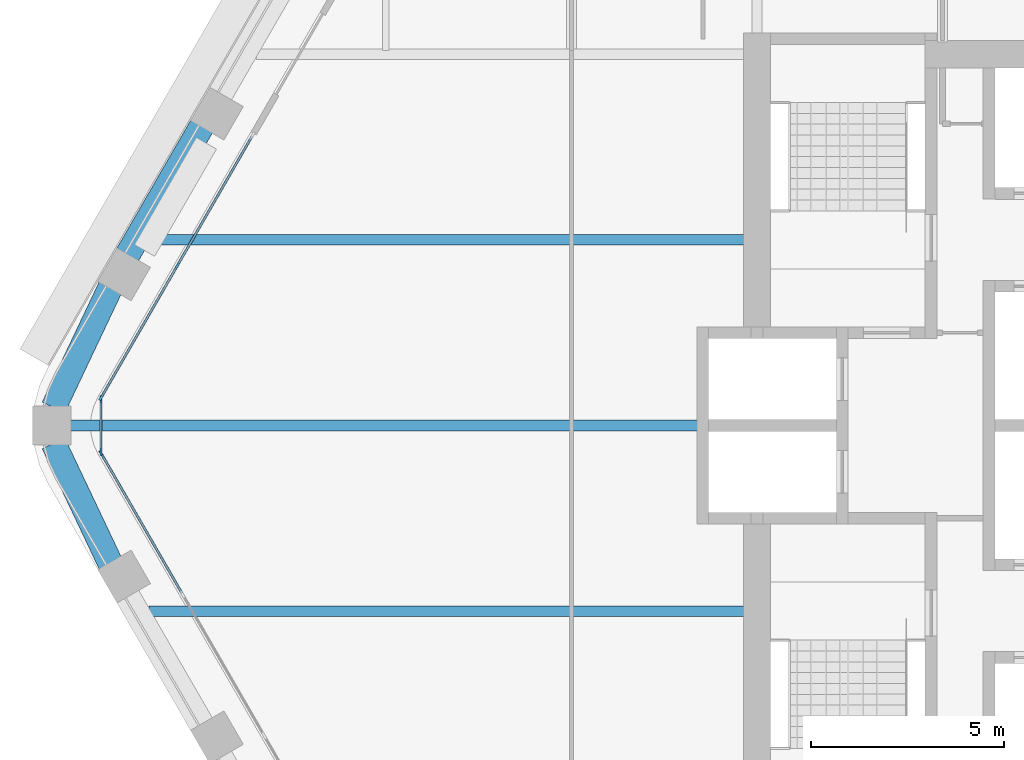
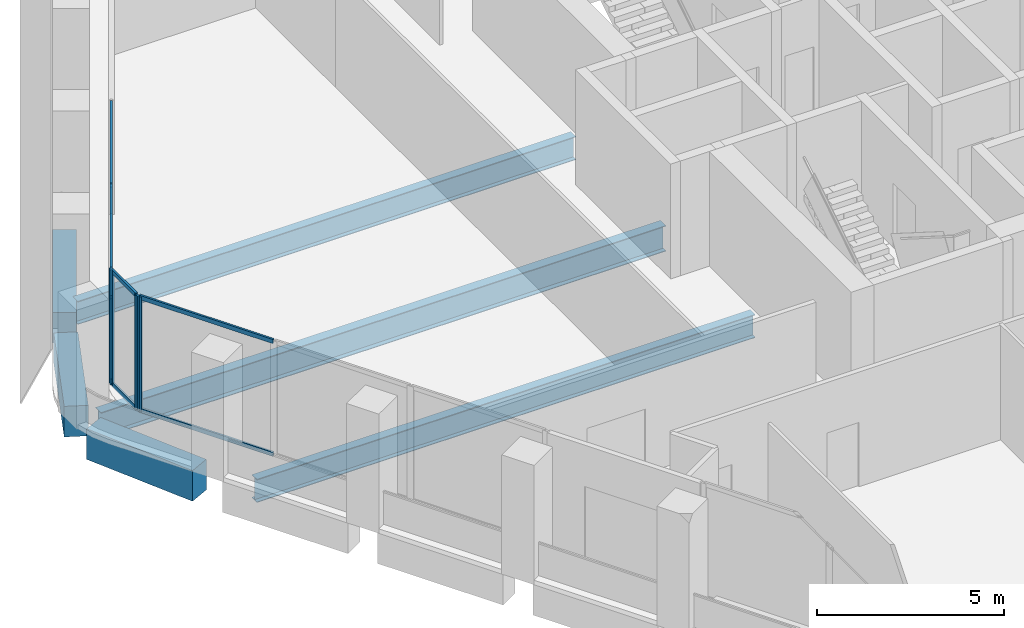
# One storey, part 3 of 15: 13 members, 6 beams, 3 elements without a shape of their own.
"""IFC4 building model written with IfcOpenShell, lengths in metres."""

from ifc_helpers import new_model, si_unit, direction, frame, origin, origin_2d, place, context, subcontext, project, spatial, rectangle, i_section, extrude, material, material_profile, profile_set, type_object, element, aggregate, save


model = new_model("IFC4")

# Units and contexts
model_context = context("Model", 3, precision=1e-05, world=origin(), true_north=direction((0.0, 1.0)))
body_context = subcontext(model_context, "Body", "Model", "MODEL_VIEW")
ifc_project = project(units=[si_unit("LENGTHUNIT", "METRE"), si_unit("AREAUNIT", "SQUARE_METRE"), si_unit("VOLUMEUNIT", "CUBIC_METRE"), si_unit("PLANEANGLEUNIT", "RADIAN"), si_unit("MASSUNIT", "GRAM", prefix="KILO")], contexts=[model_context])

# Site, building, storey
site_placement = place(None, origin())
site = spatial("IfcSite", under=ifc_project, at=site_placement, CompositionType="ELEMENT")
building_placement = place(site_placement, origin())
building = spatial("IfcBuilding", under=site, at=building_placement, Name="Kolab Exchange Tower", CompositionType="ELEMENT")
storey_placement = place(building_placement, frame((0.0, 0.0, 158.300048828125)))
storey = spatial("IfcBuildingStorey", under=building, at=storey_placement, Name="L32", CompositionType="ELEMENT", Elevation=158.300048828125)

# Beams
ifc_material_1 = material(Name="Steel S355", Category="steel")
ifc_material_profile_1 = material_profile(ifc_material_1, i_section(OverallWidth=0.26708984375, OverallDepth=0.761962890625, WebThickness=0.014404296875, FlangeThickness=0.021484375, at=origin_2d()), Name="W760X173")
ifc_profile_set_1 = profile_set([ifc_material_profile_1], Name="Steel S355")
beam_type_1 = type_object("IfcBeamType", Name="FLOOR BEAM W760X173", PredefinedType="BEAM", material=ifc_profile_set_1)
for number, where, z_axis, x_axis, name in (
    (1, (-25.318115234375, -4.800048828125, -0.531005859375), (1.0, 0.0, 0.0), (0.0, 1.0, 0.0), "beam/L32/fr/001"),
    (2, (-25.318115234375, 4.800048828125, -0.531005859375), (1.0, 0.0, 0.0), (0.0, 1.0, 0.0), "beam/L32/fr/002"),
):
    element("IfcBeam", number, at=place(storey_placement, frame(where, z_axis=z_axis, x_axis=x_axis)), inside=storey, type_object=beam_type_1, Name=name, PredefinedType="BEAM", context=body_context, shape_type="SweptSolid", body=[
        extrude(i_section(OverallWidth=0.26708984375, OverallDepth=0.761962890625, WebThickness=0.014404296875, FlangeThickness=0.021484375, at=origin_2d()), origin(), (0.0, 0.0, 1.0), 15.408203125),
    ])
ifc_material_profile_2 = material_profile(ifc_material_1, i_section(OverallWidth=0.2919921875, OverallDepth=0.840087890625, WebThickness=0.0146484375, FlangeThickness=0.021728515625, at=origin_2d()), Name="W840X193")
ifc_profile_set_2 = profile_set([ifc_material_profile_2], Name="Steel S355")
beam_type_2 = type_object("IfcBeamType", Name="FLOOR BEAM W840X193", PredefinedType="BEAM", material=ifc_profile_set_2)
beam_1_placement = place(storey_placement, frame((-27.3759765625, 0.0, -0.570068359375), z_axis=(1.0, 0.0, 0.0), x_axis=(0.0, 1.0, 0.0)))
element("IfcBeam", 3, at=beam_1_placement, inside=storey, type_object=beam_type_2, Name="beam/L32/fr/000", PredefinedType="BEAM", context=body_context, shape_type="SweptSolid", body=[
    extrude(i_section(OverallWidth=0.2919921875, OverallDepth=0.840087890625, WebThickness=0.0146484375, FlangeThickness=0.021728515625, at=origin_2d()), origin(), (0.0, 0.0, 1.0), 17.466064453125),
])
ifc_material_2 = material(Name="Concrete C60/75", Category="concrete")
ifc_material_profile_3 = material_profile(ifc_material_2, rectangle(XDim=0.64990234375, YDim=1.0, at=origin_2d()), Name="RC650X1000")
ifc_profile_set_3 = profile_set([ifc_material_profile_3], Name="Concrete C60/75")
beam_type_3 = type_object("IfcBeamType", Name="SPANDREL BEAM 650X1000 C60/75", PredefinedType="BEAM", material=ifc_profile_set_3)
for number, where, z_axis, x_axis, name in (
    (4, (-26.316162109375, -3.5771484375, -0.650146484375), (-0.428177731975, 0.903694544545, 0.0), (-0.903694544545, -0.428177731975, 0.0), "beam/L32/sp/F5-06"),
    (5, (-27.791259765625, 0.4638671875, -0.650146484375), (0.428177731975, 0.903694544545, 0.0), (-0.903694544545, 0.428177731975, 0.0), "beam/L32/sp/F6-01"),
):
    element("IfcBeam", number, at=place(storey_placement, frame(where, z_axis=z_axis, x_axis=x_axis)), inside=storey, type_object=beam_type_3, Name=name, PredefinedType="BEAM", context=body_context, shape_type="SweptSolid", body=[
        extrude(rectangle(XDim=0.64990234375, YDim=1.0, at=origin_2d()), origin(), (0.0, 0.0, 1.0), 3.445068359375),
    ])
beam_2_placement = place(storey_placement, frame((-25.888427734375, 4.392822265625, -0.650146484375), z_axis=(0.499996613652, 0.866027358884, 0.0), x_axis=(-0.866027358884, 0.499996613652, 0.0)))
element("IfcBeam", 6, at=beam_2_placement, inside=storey, type_object=beam_type_3, Name="beam/L32/sp/F6-02", PredefinedType="BEAM", context=body_context, shape_type="SweptSolid", body=[
    extrude(rectangle(XDim=0.64990234375, YDim=1.0, at=origin_2d()), origin(), (0.0, 0.0, 1.0), 3.8798828125),
])

# Curtain wall, member
ifc_material_3 = material(Name="Aluminium EN AW-6063 T6", Category="aluminium")
curtain_wall_type = type_object("IfcCurtainWallType", Name="UNITISED UPPER MID ZONE CURTAIN WALL", PredefinedType="NOTDEFINED", material=ifc_material_3)
curtain_wall_1_placement = place(storey_placement, origin())
curtain_wall_1 = element("IfcCurtainWall", 7, at=curtain_wall_1_placement, inside=storey, type_object=curtain_wall_type, Name="cw/L32/F5-2", PredefinedType="NOTDEFINED")
ifc_material_profile_4 = material_profile(ifc_material_3, rectangle(XDim=0.06005859375, YDim=0.199951171875, at=origin_2d()), Name="RECT 60X200")
ifc_profile_set_4 = profile_set([ifc_material_profile_4], Name="Aluminium EN AW-6063 T6")
member_type_1 = type_object("IfcMemberType", Name="UNITISED UPPER MID ZONE MULLION 60 X 200", PredefinedType="MULLION", material=ifc_profile_set_4)
member_1_placement = place(storey_placement, frame((-26.550537109375, -0.736083984375, 0.0), z_axis=(0.0, 0.0, 1.0), x_axis=(-0.866025427826, -0.499999958358, 0.0)))
member_1 = element("IfcMember", 8, at=member_1_placement, type_object=member_type_1, Name="CW3 mullion 4", PredefinedType="MULLION", context=body_context, shape_type="SweptSolid", body=[
    extrude(rectangle(XDim=0.06005859375, YDim=0.199951171875, at=origin_2d()), origin(), (0.0, 0.0, 1.0), 3.75),
])

# Curtain wall, members
curtain_wall_2_placement = place(storey_placement, origin())
curtain_wall_2 = element("IfcCurtainWall", 9, at=curtain_wall_2_placement, inside=storey, type_object=curtain_wall_type, Name="cw/L32/F6-1", PredefinedType="NOTDEFINED")
member_2_placement = place(storey_placement, frame((-26.550537109375, 0.736083984375, 0.0), z_axis=(0.0, 0.0, 1.0), x_axis=(-0.866025440524, 0.499999936366, 0.0)))
member_2 = element("IfcMember", 10, at=member_2_placement, type_object=member_type_1, Name="CW3 mullion 1", PredefinedType="MULLION", context=body_context, shape_type="SweptSolid", body=[
    extrude(rectangle(XDim=0.06005859375, YDim=0.199951171875, at=origin_2d()), origin(), (0.0, 0.0, 1.0), 3.75),
])
member_3_placement = place(storey_placement, frame((-24.5986328125, 4.116943359375, 0.0), z_axis=(0.0, 0.0, 1.0), x_axis=(-0.866025440524, 0.499999936366, 0.0)))
member_3 = element("IfcMember", 11, at=member_3_placement, type_object=member_type_1, Name="CW3 mullion 2", PredefinedType="MULLION", context=body_context, shape_type="SweptSolid", body=[
    extrude(rectangle(XDim=0.06005859375, YDim=0.199951171875, at=origin_2d()), origin(), (0.0, 0.0, 1.0), 3.75),
])

curtain_wall_3_placement = place(storey_placement, origin())
curtain_wall_3 = element("IfcCurtainWall", 12, at=curtain_wall_3_placement, inside=storey, type_object=curtain_wall_type, Name="cw/L32/F5F6-corner", PredefinedType="NOTDEFINED")
member_4_placement = place(storey_placement, frame((-26.565673828125, -0.679931640625, 0.0), z_axis=(0.0, 0.0, 1.0), x_axis=(-1.0, 0.0, 0.0)))
member_4 = element("IfcMember", 13, at=member_4_placement, type_object=member_type_1, Name="CW3 mullion 1", PredefinedType="MULLION", context=body_context, shape_type="SweptSolid", body=[
    extrude(rectangle(XDim=0.06005859375, YDim=0.199951171875, at=origin_2d()), origin(), (0.0, 0.0, 1.0), 3.75),
])
member_5_placement = place(storey_placement, frame((-26.565673828125, 0.679931640625, 0.0), z_axis=(0.0, 0.0, 1.0), x_axis=(-1.0, 0.0, 0.0)))
member_5 = element("IfcMember", 14, at=member_5_placement, type_object=member_type_1, Name="CW3 mullion 2", PredefinedType="MULLION", context=body_context, shape_type="SweptSolid", body=[
    extrude(rectangle(XDim=0.06005859375, YDim=0.199951171875, at=origin_2d()), origin(), (0.0, 0.0, 1.0), 3.75),
])

# Member
ifc_material_profile_5 = material_profile(ifc_material_3, rectangle(XDim=0.06005859375, YDim=0.139892578125, at=origin_2d()), Name="RECT 60X140")
ifc_profile_set_5 = profile_set([ifc_material_profile_5], Name="Aluminium EN AW-6063 T6")
member_type_2 = type_object("IfcMemberType", Name="UNITISED UPPER MID ZONE TRANSOM 60 X 140", PredefinedType="USERDEFINED", material=ifc_profile_set_5)
member_6_placement = place(storey_placement, frame((-24.46923828125, -4.3408203125, 0.030029296875), z_axis=(-0.500027577057, 0.866009481578, 0.0), x_axis=(-0.866009481578, -0.500027577057, 0.0)))
member_6 = element("IfcMember", 15, at=member_6_placement, type_object=member_type_2, Name="CW3 transom 3.1", ObjectType="TRANSOM", PredefinedType="USERDEFINED", context=body_context, shape_type="SweptSolid", body=[
    extrude(rectangle(XDim=0.06005859375, YDim=0.139892578125, at=origin_2d()), origin(), (0.0, 0.0, 1.0), 4.132568359375),
])

member_7_placement = place(storey_placement, frame((-24.46923828125, -4.3408203125, 3.719970703125), z_axis=(-0.500027577057, 0.866009481578, 0.0), x_axis=(-0.866009481578, -0.500027577057, 0.0)))
member_7 = element("IfcMember", 16, at=member_7_placement, type_object=member_type_2, Name="CW3 transom 3.2", ObjectType="TRANSOM", PredefinedType="USERDEFINED", context=body_context, shape_type="SweptSolid", body=[
    extrude(rectangle(XDim=0.06005859375, YDim=0.139892578125, at=origin_2d()), origin(), (0.0, 0.0, 1.0), 4.132568359375),
])

aggregate(curtain_wall_1, [member_1, member_6, member_7])

member_8_placement = place(storey_placement, frame((-26.53564453125, 0.761962890625, 0.030029296875), z_axis=(0.499991857942, 0.866030104553, 0.0), x_axis=(-0.866030104553, 0.499991857942, 0.0)))
member_8 = element("IfcMember", 17, at=member_8_placement, type_object=member_type_2, Name="CW3 transom 1.1", ObjectType="TRANSOM", PredefinedType="USERDEFINED", context=body_context, shape_type="SweptSolid", body=[
    extrude(rectangle(XDim=0.06005859375, YDim=0.139892578125, at=origin_2d()), origin(), (0.0, 0.0, 1.0), 3.84375),
])

member_9_placement = place(storey_placement, frame((-26.53564453125, 0.761962890625, 3.719970703125), z_axis=(0.499991857942, 0.866030104553, 0.0), x_axis=(-0.866030104553, 0.499991857942, 0.0)))
member_9 = element("IfcMember", 18, at=member_9_placement, type_object=member_type_2, Name="CW3 transom 1.2", ObjectType="TRANSOM", PredefinedType="USERDEFINED", context=body_context, shape_type="SweptSolid", body=[
    extrude(rectangle(XDim=0.06005859375, YDim=0.139892578125, at=origin_2d()), origin(), (0.0, 0.0, 1.0), 3.84375),
])

member_10_placement = place(storey_placement, frame((-24.583740234375, 4.142822265625, 0.030029296875), z_axis=(0.500011990396, 0.866018481016, 0.0), x_axis=(-0.866018481016, 0.500011990396, 0.0)))
member_10 = element("IfcMember", 19, at=member_10_placement, type_object=member_type_2, Name="CW3 transom 2.1", ObjectType="TRANSOM", PredefinedType="USERDEFINED", context=body_context, shape_type="SweptSolid", body=[
    extrude(rectangle(XDim=0.06005859375, YDim=0.139892578125, at=origin_2d()), origin(), (0.0, 0.0, 1.0), 3.84423828125),
])

member_11_placement = place(storey_placement, frame((-24.583740234375, 4.142822265625, 3.719970703125), z_axis=(0.500011990396, 0.866018481016, 0.0), x_axis=(-0.866018481016, 0.500011990396, 0.0)))
member_11 = element("IfcMember", 20, at=member_11_placement, type_object=member_type_2, Name="CW3 transom 2.2", ObjectType="TRANSOM", PredefinedType="USERDEFINED", context=body_context, shape_type="SweptSolid", body=[
    extrude(rectangle(XDim=0.06005859375, YDim=0.139892578125, at=origin_2d()), origin(), (0.0, 0.0, 1.0), 3.84423828125),
])

aggregate(curtain_wall_2, [member_2, member_3, member_8, member_9, member_10, member_11])

member_12_placement = place(storey_placement, frame((-26.565673828125, -0.64990234375, 0.030029296875), z_axis=(0.0, 1.0, 0.0), x_axis=(-1.0, 0.0, 0.0)))
member_12 = element("IfcMember", 21, at=member_12_placement, type_object=member_type_2, Name="CW3 transom 1.1", ObjectType="TRANSOM", PredefinedType="USERDEFINED", context=body_context, shape_type="SweptSolid", body=[
    extrude(rectangle(XDim=0.06005859375, YDim=0.139892578125, at=origin_2d()), origin(), (0.0, 0.0, 1.0), 1.2998046875),
])

member_13_placement = place(storey_placement, frame((-26.565673828125, -0.64990234375, 3.719970703125), z_axis=(0.0, 1.0, 0.0), x_axis=(-1.0, 0.0, 0.0)))
member_13 = element("IfcMember", 22, at=member_13_placement, type_object=member_type_2, Name="CW3 transom 1.2", ObjectType="TRANSOM", PredefinedType="USERDEFINED", context=body_context, shape_type="SweptSolid", body=[
    extrude(rectangle(XDim=0.06005859375, YDim=0.139892578125, at=origin_2d()), origin(), (0.0, 0.0, 1.0), 1.2998046875),
])

aggregate(curtain_wall_3, [member_4, member_5, member_12, member_13])

save(model, "model.ifc")
